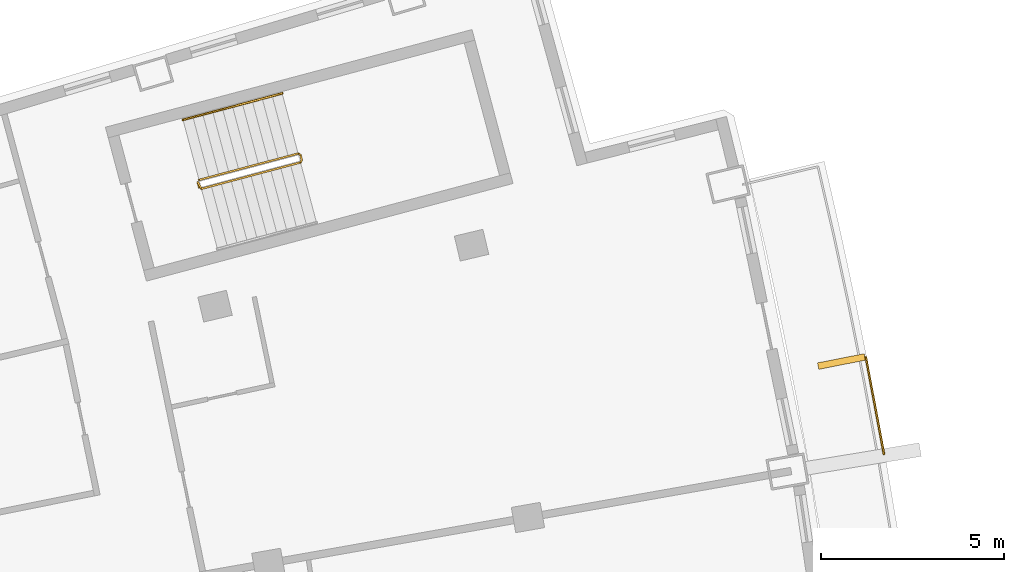
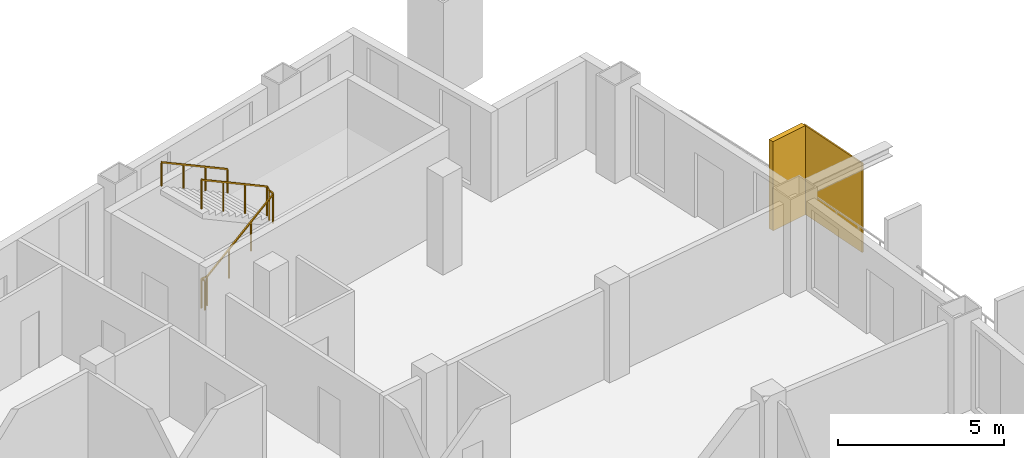
# One storey, part 19 of 19: 2 railings, 2 shading devices.
"""IFC4 building model written with IfcOpenShell, lengths in metres."""

from ifc_helpers import new_model, si_unit, direction, frame, origin, origin_2d, place, context, subcontext, project, spatial, rectangle, extrude, material, layer, layer_set, type_object, element, save


model = new_model("IFC4")

# Units and contexts
model_context = context("Model", 3, precision=1e-05, world=origin(), true_north=direction((0.0, 1.0)))
body_context = subcontext(model_context, "Body", "Model", "MODEL_VIEW")
ifc_project = project(units=[si_unit("LENGTHUNIT", "METRE"), si_unit("AREAUNIT", "SQUARE_METRE"), si_unit("VOLUMEUNIT", "CUBIC_METRE"), si_unit("PLANEANGLEUNIT", "RADIAN"), si_unit("MASSUNIT", "GRAM", prefix="KILO")], contexts=[model_context])

# Site, building, storey
site_placement = place(None, origin())
site = spatial("IfcSite", under=ifc_project, at=site_placement, CompositionType="ELEMENT")
building_placement = place(site_placement, origin())
building = spatial("IfcBuilding", under=site, at=building_placement, Name="Alderwake Tower", CompositionType="ELEMENT")
storey_placement = place(building_placement, frame((0.0, 0.0, 228.800048828125)))
storey = spatial("IfcBuildingStorey", under=building, at=storey_placement, Name="L57", CompositionType="ELEMENT", Elevation=228.800048828125)

# Shading devices
ifc_material_1 = material(Name="Bronze anodised aluminium", Category="aluminium")
ifc_layer_1 = layer(ifc_material_1, 0.179931640625)
ifc_layer_set_1 = layer_set([ifc_layer_1], Name="Facade fin 1300")
shading_device_type_1 = type_object("IfcShadingDeviceType", Name="Facade fin 1300", PredefinedType="USERDEFINED", material=ifc_layer_set_1)
shading_device_1_placement = place(storey_placement, frame((56.774169921875, 87.928955078125, 0.0), z_axis=(0.0, 0.0, 1.0), x_axis=(0.981163751315, 0.193177879441, 0.0)))
element("IfcShadingDevice", 1, at=shading_device_1_placement, inside=storey, type_object=shading_device_type_1, Name="Fin", ObjectType="FIN", PredefinedType="USERDEFINED", context=body_context, shape_type="SweptSolid", body=[
    extrude(rectangle(XDim=1.300048828125, YDim=0.179931640625, at=origin_2d()), origin(), (0.0, 0.0, 1.0), 3.280029296875),
])
ifc_material_2 = material(Name="Perforated bronze anodised aluminium", Category="aluminium")
ifc_layer_2 = layer(ifc_material_2, 0.050048828125)
ifc_layer_set_2 = layer_set([ifc_layer_2], Name="Perforated screen panel")
shading_device_type_2 = type_object("IfcShadingDeviceType", Name="Perforated screen panel", PredefinedType="USERDEFINED", material=ifc_layer_set_2)
shading_device_2_placement = place(storey_placement, frame((57.68603515625, 86.723876953125, 0.0), z_axis=(0.0, 0.0, 1.0), x_axis=(0.982991488043, 0.183651121519, 0.0)))
element("IfcShadingDevice", 2, at=shading_device_2_placement, inside=storey, type_object=shading_device_type_2, Name="Screen panel", ObjectType="SCREEN", PredefinedType="USERDEFINED", context=body_context, shape_type="SweptSolid", body=[
    extrude(rectangle(XDim=0.050048828125, YDim=2.71728515625, at=origin_2d()), origin(), (0.0, 0.0, 1.0), 3.280029296875),
])

# Railings
ifc_material_3 = material(Name="Stainless steel guard", Category="steel")
railing_type_1 = type_object("IfcRailingType", Name="Stair guard 1100", PredefinedType="GUARDRAIL", material=ifc_material_3)
railing_1_placement = place(storey_placement, frame((39.23291015625, 92.6806640625, 0.0)))
element("IfcRailing", 3, at=railing_1_placement, inside=storey, type_object=railing_type_1, Name="L57 ST-A stair guard 1", PredefinedType="GUARDRAIL", context=body_context, shape_type="SweptSolid", body=[
    extrude(rectangle(XDim=0.048095703125, YDim=0.048095703125, at=origin_2d()), frame((0.0, 0.0, 1.076171875), z_axis=(-0.257055032184, 0.966396766566, 0.0), x_axis=(-0.966396766566, -0.257055032184, 0.0)), (0.0, 0.0, 1.0), 0.150146484375),
    extrude(rectangle(XDim=0.048095703125, YDim=0.048095703125, at=origin_2d()), frame((-0.03857421875, 0.14501953125, 1.076171875), z_axis=(0.379370725808, -0.685464465458, 0.621463047167), x_axis=(0.874937996095, 0.484234966715, 0.0)), (0.0, 0.0, 1.0), 0.26318359375),
    extrude(rectangle(XDim=0.048095703125, YDim=0.048095703125, at=origin_2d()), frame((0.061279296875, -0.035400390625, 1.23974609375), z_axis=(0.834258940753, 0.22222815314, 0.504605457487), x_axis=(-0.257402139082, 0.966304371715, 0.0)), (0.0, 0.0, 1.0), 3.2431640625),
    extrude(rectangle(XDim=0.048095703125, YDim=0.048095703125, at=origin_2d()), frame((2.766845703125, 0.685302734375, 2.8759765625), z_axis=(0.500220121494, 0.865898279276, 0.0), x_axis=(-0.865898279276, 0.500220121494, 0.0)), (0.0, 0.0, 1.0), 0.07080078125),
    extrude(rectangle(XDim=0.048095703125, YDim=0.048095703125, at=origin_2d()), frame((2.80224609375, 0.74658203125, 2.8759765625), z_axis=(-0.257459803502, 0.966289009345, 0.0), x_axis=(-0.966289009345, -0.257459803502, 0.0)), (0.0, 0.0, 1.0), 0.14990234375),
    extrude(rectangle(XDim=0.048095703125, YDim=0.048095703125, at=origin_2d()), frame((2.763671875, 0.891357421875, 2.8759765625), z_axis=(-0.34252489212, 0.200034536998, 0.917966710881), x_axis=(-0.504300490226, -0.863528236688, 0.0)), (0.0, 0.0, 1.0), 0.17822265625),
    extrude(rectangle(XDim=0.048095703125, YDim=0.048095703125, at=origin_2d()), frame((2.70263671875, 0.927001953125, 3.03955078125), z_axis=(-0.834313512087, -0.222222637163, 0.504517653885), x_axis=(0.257380452725, -0.966310148221, 0.0)), (0.0, 0.0, 1.0), 3.2431640625),
    extrude(rectangle(XDim=0.0419921875, YDim=0.0419921875, at=origin_2d()), frame((0.0, 0.0, 0.0), z_axis=(0.0, 0.0, 1.0), x_axis=(-0.257055032184, 0.966396766566, 0.0)), (0.0, 0.0, 1.0), 1.052001953125),
    extrude(rectangle(XDim=0.0419921875, YDim=0.0419921875, at=origin_2d()), frame((-0.03857421875, 0.14501953125, 0.0), z_axis=(0.0, 0.0, 1.0), x_axis=(0.484234966715, -0.874937996095, 0.0)), (0.0, 0.0, 1.0), 1.052001953125),
    extrude(rectangle(XDim=0.0419921875, YDim=0.0419921875, at=origin_2d()), frame((0.061279296875, -0.035400390625, 0.16357421875), z_axis=(0.0, 0.0, 1.0), x_axis=(0.966304371715, 0.257402139082, 0.0)), (0.0, 0.0, 1.0), 1.052001953125),
    extrude(rectangle(XDim=0.0419921875, YDim=0.0419921875, at=origin_2d()), frame((0.963134765625, 0.204833984375, 0.708984375), z_axis=(0.0, 0.0, 1.0), x_axis=(0.966304371715, 0.257402139082, 0.0)), (0.0, 0.0, 1.0), 1.052001953125),
    extrude(rectangle(XDim=0.0419921875, YDim=0.0419921875, at=origin_2d()), frame((1.864990234375, 0.445068359375, 1.254638671875), z_axis=(0.0, 0.0, 1.0), x_axis=(0.966304371715, 0.257402139082, 0.0)), (0.0, 0.0, 1.0), 1.052001953125),
    extrude(rectangle(XDim=0.0419921875, YDim=0.0419921875, at=origin_2d()), frame((2.766845703125, 0.685302734375, 1.800048828125), z_axis=(0.0, 0.0, 1.0), x_axis=(0.500220121494, 0.865898279276, 0.0)), (0.0, 0.0, 1.0), 1.052001953125),
    extrude(rectangle(XDim=0.0419921875, YDim=0.0419921875, at=origin_2d()), frame((2.80224609375, 0.74658203125, 1.800048828125), z_axis=(0.0, 0.0, 1.0), x_axis=(-0.257459803502, 0.966289009345, 0.0)), (0.0, 0.0, 1.0), 1.052001953125),
    extrude(rectangle(XDim=0.0419921875, YDim=0.0419921875, at=origin_2d()), frame((2.763671875, 0.891357421875, 1.800048828125), z_axis=(0.0, 0.0, 1.0), x_axis=(-0.863528236688, 0.504300490226, 0.0)), (0.0, 0.0, 1.0), 1.052001953125),
    extrude(rectangle(XDim=0.0419921875, YDim=0.0419921875, at=origin_2d()), frame((2.70263671875, 0.927001953125, 1.963623046875), z_axis=(0.0, 0.0, 1.0), x_axis=(-0.966310148221, -0.257380452725, 0.0)), (0.0, 0.0, 1.0), 1.052001953125),
    extrude(rectangle(XDim=0.0419921875, YDim=0.0419921875, at=origin_2d()), frame((1.80078125, 0.686767578125, 2.509033203125), z_axis=(0.0, 0.0, 1.0), x_axis=(-0.966310148221, -0.257380452725, 0.0)), (0.0, 0.0, 1.0), 1.052001953125),
    extrude(rectangle(XDim=0.0419921875, YDim=0.0419921875, at=origin_2d()), frame((0.898681640625, 0.446533203125, 3.054443359375), z_axis=(0.0, 0.0, 1.0), x_axis=(-0.966310148221, -0.257380452725, 0.0)), (0.0, 0.0, 1.0), 1.052001953125),
    extrude(rectangle(XDim=0.0419921875, YDim=0.0419921875, at=origin_2d()), frame((-0.003173828125, 0.206298828125, 3.599853515625), z_axis=(0.0, 0.0, 1.0), x_axis=(-0.966310148221, -0.257380452725, 0.0)), (0.0, 0.0, 1.0), 1.052001953125),
])
ifc_material_4 = material(Name="Stainless steel handrail", Category="steel")
railing_type_2 = type_object("IfcRailingType", Name="Stair handrail 900", PredefinedType="HANDRAIL", material=ifc_material_4)
railing_2_placement = place(storey_placement, frame((41.497802734375, 95.250244140625, 1.963623046875)))
element("IfcRailing", 4, at=railing_2_placement, inside=storey, type_object=railing_type_2, Name="L57 ST-A stair handrail 2", PredefinedType="HANDRAIL", context=body_context, shape_type="SweptSolid", body=[
    extrude(rectangle(XDim=0.048095703125, YDim=0.048095703125, at=origin_2d()), frame((0.0, 0.0, 0.8759765625), z_axis=(-0.834290631165, -0.222236594766, 0.504549342183), x_axis=(0.257402139082, -0.966304371715, 0.0)), (0.0, 0.0, 1.0), 3.242919921875),
    extrude(rectangle(XDim=0.0419921875, YDim=0.0419921875, at=origin_2d()), frame((0.0, 0.0, 0.0), z_axis=(0.0, 0.0, 1.0), x_axis=(-0.966304371715, -0.257402139082, 0.0)), (0.0, 0.0, 1.0), 0.851806640625),
    extrude(rectangle(XDim=0.0419921875, YDim=0.0419921875, at=origin_2d()), frame((-0.90185546875, -0.240234375, 0.54541015625), z_axis=(0.0, 0.0, 1.0), x_axis=(-0.966304371715, -0.257402139082, 0.0)), (0.0, 0.0, 1.0), 0.851806640625),
    extrude(rectangle(XDim=0.0419921875, YDim=0.0419921875, at=origin_2d()), frame((-1.8037109375, -0.48046875, 1.0908203125), z_axis=(0.0, 0.0, 1.0), x_axis=(-0.966304371715, -0.257402139082, 0.0)), (0.0, 0.0, 1.0), 0.851806640625),
    extrude(rectangle(XDim=0.0419921875, YDim=0.0419921875, at=origin_2d()), frame((-2.70556640625, -0.720703125, 1.63623046875), z_axis=(0.0, 0.0, 1.0), x_axis=(-0.966304371715, -0.257402139082, 0.0)), (0.0, 0.0, 1.0), 0.851806640625),
])

save(model, "model.ifc")
